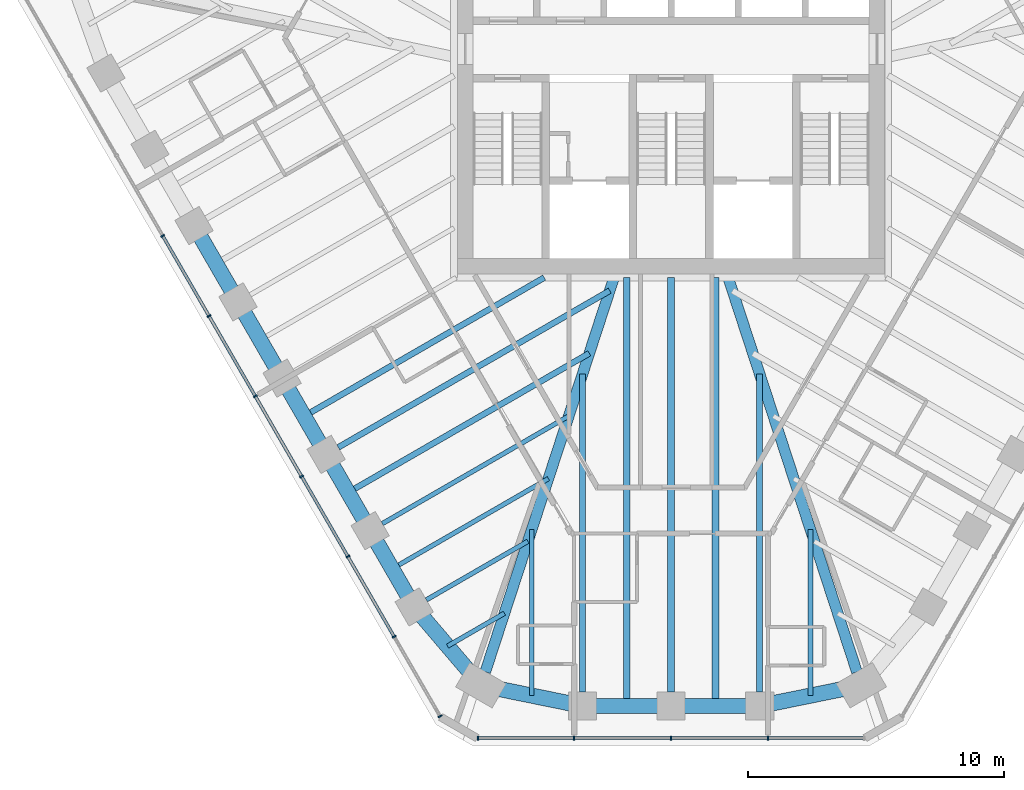
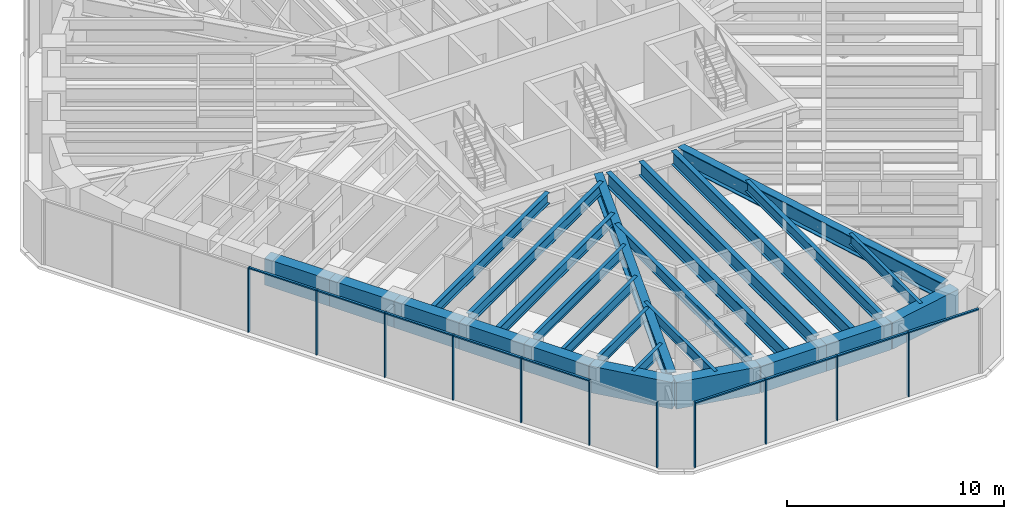
# One storey, part 2 of 14: 26 beams, 20 members, 2 elements without a shape of their own.
"""IFC4 building model written with IfcOpenShell, lengths in metres."""

from ifc_helpers import new_model, si_unit, direction, frame, origin, origin_2d, place, context, subcontext, project, spatial, rectangle, i_section, extrude, material, material_profile, profile_set, type_object, element, aggregate, save


model = new_model("IFC4")

# Units and contexts
model_context = context("Model", 3, precision=1e-05, world=origin(), true_north=direction((0.0, 1.0)))
body_context = subcontext(model_context, "Body", "Model", "MODEL_VIEW")
ifc_project = project(units=[si_unit("LENGTHUNIT", "METRE"), si_unit("AREAUNIT", "SQUARE_METRE"), si_unit("VOLUMEUNIT", "CUBIC_METRE"), si_unit("PLANEANGLEUNIT", "RADIAN"), si_unit("MASSUNIT", "GRAM", prefix="KILO")], contexts=[model_context])

# Site, building, storey
site_placement = place(None, origin())
site = spatial("IfcSite", under=ifc_project, at=site_placement, CompositionType="ELEMENT")
building_placement = place(site_placement, origin())
building = spatial("IfcBuilding", under=site, at=building_placement, Name="Sandreach Pilgrim Tower", CompositionType="ELEMENT")
storey_placement = place(building_placement, frame((0.0, 0.0, 268.39990234375)))
storey = spatial("IfcBuildingStorey", under=building, at=storey_placement, Name="L67", CompositionType="ELEMENT", Elevation=268.39990234375)

# Curtain wall, members
ifc_material_1 = material(Name="Aluminium framed curtain wall", Category="aluminium")
curtain_wall_type = type_object("IfcCurtainWallType", Name="Suite tower curtain wall", PredefinedType="NOTDEFINED", material=ifc_material_1)
curtain_wall_1_placement = place(storey_placement, origin())
curtain_wall_1 = element("IfcCurtainWall", 1, at=curtain_wall_1_placement, inside=storey, type_object=curtain_wall_type, Name="CW-4 L67 S", PredefinedType="NOTDEFINED")
ifc_material_2 = material(Name="Aluminium extrusion", Category="aluminium")
ifc_material_profile_1 = material_profile(ifc_material_2, rectangle(XDim=0.06005859375, YDim=0.159912109375, at=origin_2d()), Name="CW-4M 60X160")
ifc_profile_set_1 = profile_set([ifc_material_profile_1], Name="Aluminium extrusion")
member_type_1 = type_object("IfcMemberType", Name="CW-4 mullion", PredefinedType="MULLION", material=ifc_profile_set_1)
member_1_placement = place(storey_placement, frame((3.791748046875, -24.858154296875, 0.0), z_axis=(0.0, 0.0, 1.0), x_axis=(-1.0, 0.0, 0.0)))
member_1 = element("IfcMember", 2, at=member_1_placement, type_object=member_type_1, Name="CW-4 mullion 2", PredefinedType="MULLION", context=body_context, shape_type="SweptSolid", body=[
    extrude(rectangle(XDim=0.06005859375, YDim=0.159912109375, at=origin_2d()), origin(), (0.0, 0.0, 1.0), 3.64013671875),
])
member_2_placement = place(storey_placement, frame((0.0, -24.858154296875, 0.0), z_axis=(0.0, 0.0, 1.0), x_axis=(-1.0, 0.0, 0.0)))
member_2 = element("IfcMember", 3, at=member_2_placement, type_object=member_type_1, Name="CW-4 mullion 3", PredefinedType="MULLION", context=body_context, shape_type="SweptSolid", body=[
    extrude(rectangle(XDim=0.06005859375, YDim=0.159912109375, at=origin_2d()), origin(), (0.0, 0.0, 1.0), 3.64013671875),
])
member_3_placement = place(storey_placement, frame((-3.791748046875, -24.858154296875, 0.0), z_axis=(0.0, 0.0, 1.0), x_axis=(-1.0, 0.0, 0.0)))
member_3 = element("IfcMember", 4, at=member_3_placement, type_object=member_type_1, Name="CW-4 mullion 4", PredefinedType="MULLION", context=body_context, shape_type="SweptSolid", body=[
    extrude(rectangle(XDim=0.06005859375, YDim=0.159912109375, at=origin_2d()), origin(), (0.0, 0.0, 1.0), 3.64013671875),
])
member_4_placement = place(storey_placement, frame((-7.553466796875, -24.858154296875, 0.0), z_axis=(0.0, 0.0, 1.0), x_axis=(-1.0, 0.0, 0.0)))
member_4 = element("IfcMember", 5, at=member_4_placement, type_object=member_type_1, Name="CW-4 mullion 5", PredefinedType="MULLION", context=body_context, shape_type="SweptSolid", body=[
    extrude(rectangle(XDim=0.06005859375, YDim=0.159912109375, at=origin_2d()), origin(), (0.0, 0.0, 1.0), 3.64013671875),
])

curtain_wall_2_placement = place(storey_placement, origin())
curtain_wall_2 = element("IfcCurtainWall", 6, at=curtain_wall_2_placement, inside=storey, type_object=curtain_wall_type, Name="CW-4 L67 SW", PredefinedType="NOTDEFINED")
member_5_placement = place(storey_placement, frame((-9.035888671875, -24.001953125, 0.0), z_axis=(0.0, 0.0, 1.0), x_axis=(-0.5, 0.866025403784, 0.0)))
member_5 = element("IfcMember", 7, at=member_5_placement, type_object=member_type_1, Name="CW-4 mullion 1", PredefinedType="MULLION", context=body_context, shape_type="SweptSolid", body=[
    extrude(rectangle(XDim=0.06005859375, YDim=0.159912109375, at=origin_2d()), origin(), (0.0, 0.0, 1.0), 3.64013671875),
])
member_6_placement = place(storey_placement, frame((-10.83203125, -20.891357421875, 0.0), z_axis=(0.0, 0.0, 1.0), x_axis=(-0.5, 0.866025403784, 0.0)))
member_6 = element("IfcMember", 8, at=member_6_placement, type_object=member_type_1, Name="CW-4 mullion 2", PredefinedType="MULLION", context=body_context, shape_type="SweptSolid", body=[
    extrude(rectangle(XDim=0.06005859375, YDim=0.159912109375, at=origin_2d()), origin(), (0.0, 0.0, 1.0), 3.64013671875),
])
member_7_placement = place(storey_placement, frame((-12.642822265625, -17.7548828125, 0.0), z_axis=(0.0, 0.0, 1.0), x_axis=(-0.5, 0.866025403784, 0.0)))
member_7 = element("IfcMember", 9, at=member_7_placement, type_object=member_type_1, Name="CW-4 mullion 3", PredefinedType="MULLION", context=body_context, shape_type="SweptSolid", body=[
    extrude(rectangle(XDim=0.06005859375, YDim=0.159912109375, at=origin_2d()), origin(), (0.0, 0.0, 1.0), 3.64013671875),
])
member_8_placement = place(storey_placement, frame((-14.453857421875, -14.6181640625, 0.0), z_axis=(0.0, 0.0, 1.0), x_axis=(-0.5, 0.866025403784, 0.0)))
member_8 = element("IfcMember", 10, at=member_8_placement, type_object=member_type_1, Name="CW-4 mullion 4", PredefinedType="MULLION", context=body_context, shape_type="SweptSolid", body=[
    extrude(rectangle(XDim=0.06005859375, YDim=0.159912109375, at=origin_2d()), origin(), (0.0, 0.0, 1.0), 3.64013671875),
])
member_9_placement = place(storey_placement, frame((-16.2646484375, -11.4814453125, 0.0), z_axis=(0.0, 0.0, 1.0), x_axis=(-0.5, 0.866025403784, 0.0)))
member_9 = element("IfcMember", 11, at=member_9_placement, type_object=member_type_1, Name="CW-4 mullion 5", PredefinedType="MULLION", context=body_context, shape_type="SweptSolid", body=[
    extrude(rectangle(XDim=0.06005859375, YDim=0.159912109375, at=origin_2d()), origin(), (0.0, 0.0, 1.0), 3.64013671875),
])
member_10_placement = place(storey_placement, frame((-18.07568359375, -8.344970703125, 0.0), z_axis=(0.0, 0.0, 1.0), x_axis=(-0.5, 0.866025403784, 0.0)))
member_10 = element("IfcMember", 12, at=member_10_placement, type_object=member_type_1, Name="CW-4 mullion 6", PredefinedType="MULLION", context=body_context, shape_type="SweptSolid", body=[
    extrude(rectangle(XDim=0.06005859375, YDim=0.159912109375, at=origin_2d()), origin(), (0.0, 0.0, 1.0), 3.64013671875),
])
member_11_placement = place(storey_placement, frame((-19.886474609375, -5.208251953125, 0.0), z_axis=(0.0, 0.0, 1.0), x_axis=(-0.5, 0.866025403784, 0.0)))
member_11 = element("IfcMember", 13, at=member_11_placement, type_object=member_type_1, Name="CW-4 mullion 7", PredefinedType="MULLION", context=body_context, shape_type="SweptSolid", body=[
    extrude(rectangle(XDim=0.06005859375, YDim=0.159912109375, at=origin_2d()), origin(), (0.0, 0.0, 1.0), 3.64013671875),
])

# Member
ifc_material_3 = material(Name="Aluminium extrusion", Category="aluminium")
ifc_material_profile_2 = material_profile(ifc_material_3, rectangle(XDim=0.1201171875, YDim=0.070068359375, at=origin_2d()), Name="CW-4T 120X70")
ifc_profile_set_2 = profile_set([ifc_material_profile_2], Name="Aluminium extrusion")
member_type_2 = type_object("IfcMemberType", Name="CW-4 transom", PredefinedType="USERDEFINED", material=ifc_profile_set_2)
member_12_placement = place(storey_placement, frame((7.5234375, -24.858154296875, 3.60498046875), z_axis=(-1.0, 0.0, 0.0), x_axis=(0.0, -1.0, 0.0)))
member_12 = element("IfcMember", 14, at=member_12_placement, type_object=member_type_2, Name="CW-4 head transom 1", ObjectType="TRANSOM", PredefinedType="USERDEFINED", context=body_context, shape_type="SweptSolid", body=[
    extrude(rectangle(XDim=0.1201171875, YDim=0.070068359375, at=origin_2d()), origin(), (0.0, 0.0, 1.0), 3.70166015625),
])

member_13_placement = place(storey_placement, frame((3.76171875, -24.858154296875, 3.60498046875), z_axis=(-1.0, 0.0, 0.0), x_axis=(0.0, -1.0, 0.0)))
member_13 = element("IfcMember", 15, at=member_13_placement, type_object=member_type_2, Name="CW-4 head transom 2", ObjectType="TRANSOM", PredefinedType="USERDEFINED", context=body_context, shape_type="SweptSolid", body=[
    extrude(rectangle(XDim=0.1201171875, YDim=0.070068359375, at=origin_2d()), origin(), (0.0, 0.0, 1.0), 3.731689453125),
])

member_14_placement = place(storey_placement, frame((-0.030029296875, -24.858154296875, 3.60498046875), z_axis=(-1.0, 0.0, 0.0), x_axis=(0.0, -1.0, 0.0)))
member_14 = element("IfcMember", 16, at=member_14_placement, type_object=member_type_2, Name="CW-4 head transom 3", ObjectType="TRANSOM", PredefinedType="USERDEFINED", context=body_context, shape_type="SweptSolid", body=[
    extrude(rectangle(XDim=0.1201171875, YDim=0.070068359375, at=origin_2d()), origin(), (0.0, 0.0, 1.0), 3.731689453125),
])

member_15_placement = place(storey_placement, frame((-3.82177734375, -24.858154296875, 3.60498046875), z_axis=(-1.0, 0.0, 0.0), x_axis=(0.0, -1.0, 0.0)))
member_15 = element("IfcMember", 17, at=member_15_placement, type_object=member_type_2, Name="CW-4 head transom 4", ObjectType="TRANSOM", PredefinedType="USERDEFINED", context=body_context, shape_type="SweptSolid", body=[
    extrude(rectangle(XDim=0.1201171875, YDim=0.070068359375, at=origin_2d()), origin(), (0.0, 0.0, 1.0), 3.70166015625),
])

aggregate(curtain_wall_1, [member_1, member_2, member_3, member_4, member_12, member_13, member_14, member_15])

member_16_placement = place(storey_placement, frame((-10.846923828125, -20.865478515625, 3.60498046875), z_axis=(-0.500009219579, 0.866020080793, 0.0), x_axis=(-0.866020080793, -0.500009219579, 0.0)))
member_16 = element("IfcMember", 18, at=member_16_placement, type_object=member_type_2, Name="CW-4 head transom 2", ObjectType="TRANSOM", PredefinedType="USERDEFINED", context=body_context, shape_type="SweptSolid", body=[
    extrude(rectangle(XDim=0.1201171875, YDim=0.070068359375, at=origin_2d()), origin(), (0.0, 0.0, 1.0), 3.56201171875),
])

member_17_placement = place(storey_placement, frame((-12.657958984375, -17.728759765625, 3.60498046875), z_axis=(-0.499957811549, 0.866049759928, 0.0), x_axis=(-0.866049759928, -0.499957811549, 0.0)))
member_17 = element("IfcMember", 19, at=member_17_placement, type_object=member_type_2, Name="CW-4 head transom 3", ObjectType="TRANSOM", PredefinedType="USERDEFINED", context=body_context, shape_type="SweptSolid", body=[
    extrude(rectangle(XDim=0.1201171875, YDim=0.070068359375, at=origin_2d()), origin(), (0.0, 0.0, 1.0), 3.561767578125),
])

member_18_placement = place(storey_placement, frame((-14.46875, -14.59228515625, 3.60498046875), z_axis=(-0.500009219579, 0.866020080793, 0.0), x_axis=(-0.866020080793, -0.500009219579, 0.0)))
member_18 = element("IfcMember", 20, at=member_18_placement, type_object=member_type_2, Name="CW-4 head transom 4", ObjectType="TRANSOM", PredefinedType="USERDEFINED", context=body_context, shape_type="SweptSolid", body=[
    extrude(rectangle(XDim=0.1201171875, YDim=0.070068359375, at=origin_2d()), origin(), (0.0, 0.0, 1.0), 3.56201171875),
])

member_19_placement = place(storey_placement, frame((-16.27978515625, -11.45556640625, 3.60498046875), z_axis=(-0.499957811549, 0.866049759928, 0.0), x_axis=(-0.866049759928, -0.499957811549, 0.0)))
member_19 = element("IfcMember", 21, at=member_19_placement, type_object=member_type_2, Name="CW-4 head transom 5", ObjectType="TRANSOM", PredefinedType="USERDEFINED", context=body_context, shape_type="SweptSolid", body=[
    extrude(rectangle(XDim=0.1201171875, YDim=0.070068359375, at=origin_2d()), origin(), (0.0, 0.0, 1.0), 3.561767578125),
])

member_20_placement = place(storey_placement, frame((-18.090576171875, -8.31884765625, 3.60498046875), z_axis=(-0.500038900691, 0.866002943295, 0.0), x_axis=(-0.866002943295, -0.500038900691, 0.0)))
member_20 = element("IfcMember", 22, at=member_20_placement, type_object=member_type_2, Name="CW-4 head transom 6", ObjectType="TRANSOM", PredefinedType="USERDEFINED", context=body_context, shape_type="SweptSolid", body=[
    extrude(rectangle(XDim=0.1201171875, YDim=0.070068359375, at=origin_2d()), origin(), (0.0, 0.0, 1.0), 3.561767578125),
])

aggregate(curtain_wall_2, [member_5, member_6, member_7, member_8, member_9, member_10, member_11, member_16, member_17, member_18, member_19, member_20])

# Beams
ifc_material_4 = material(Name="Steel ASTM A992 Grade 50", Category="steel")
ifc_material_profile_3 = material_profile(ifc_material_4, i_section(OverallWidth=0.421630859375, OverallDepth=0.937255859375, WebThickness=0.0224609375, FlangeThickness=0.039794921875, at=origin_2d()), Name="W36X282")
ifc_profile_set_3 = profile_set([ifc_material_profile_3], Name="Steel ASTM A992 Grade 50")
beam_type_1 = type_object("IfcBeamType", Name="Corner girder W36X282", PredefinedType="BEAM", material=ifc_profile_set_3)
for number, where, z_axis, x_axis, name in (
    (23, (7.268310546875, -22.2666015625, 3.17138671875), (-0.310308570047, 0.950635887896, 0.0), (-0.950635887896, -0.310308570047, 0.0), "BM L67 CG22"),
    (24, (-7.268310546875, -22.2666015625, 3.17138671875), (0.310308570047, 0.950635887896, 0.0), (-0.950635887896, 0.310308570047, 0.0), "BM L67 CG26"),
):
    element("IfcBeam", number, at=place(storey_placement, frame(where, z_axis=z_axis, x_axis=x_axis)), inside=storey, type_object=beam_type_1, Name=name, PredefinedType="BEAM", context=body_context, shape_type="SweptSolid", body=[
        extrude(i_section(OverallWidth=0.421630859375, OverallDepth=0.937255859375, WebThickness=0.0224609375, FlangeThickness=0.039794921875, at=origin_2d()), origin(), (0.0, 0.0, 1.0), 16.375),
    ])
ifc_material_5 = material(Name="Steel ASTM A992 Grade 50", Category="steel")
ifc_material_profile_4 = material_profile(ifc_material_5, i_section(OverallWidth=0.1787109375, OverallDepth=0.60205078125, WebThickness=0.010986328125, FlangeThickness=0.014892578125, at=origin_2d()), Name="W24X62")
ifc_profile_set_4 = profile_set([ifc_material_profile_4], Name="Steel ASTM A992 Grade 50")
beam_type_2 = type_object("IfcBeamType", Name="Floor beam W24X62", PredefinedType="BEAM", material=ifc_profile_set_4)
beam_1_placement = place(storey_placement, frame((-9.573974609375, -19.450439453125, 3.339111328125), z_axis=(0.866024320471, 0.50000187635, 0.0), x_axis=(-0.50000187635, 0.866024320471, 0.0)))
element("IfcBeam", 25, at=beam_1_placement, inside=storey, type_object=beam_type_2, Name="BM L67 F27", PredefinedType="BEAM", context=body_context, shape_type="SweptSolid", body=[
    extrude(i_section(OverallWidth=0.1787109375, OverallDepth=0.60205078125, WebThickness=0.010986328125, FlangeThickness=0.014892578125, at=origin_2d()), origin(), (0.0, 0.0, 1.0), 4.58837890625),
])
beam_2_placement = place(storey_placement, frame((-11.29638671875, -16.466796875, 3.339111328125), z_axis=(0.866026819143, 0.499997548519, 0.0), x_axis=(-0.499997548519, 0.866026819143, 0.0)))
element("IfcBeam", 26, at=beam_2_placement, inside=storey, type_object=beam_type_2, Name="BM L67 F28", PredefinedType="BEAM", context=body_context, shape_type="SweptSolid", body=[
    extrude(i_section(OverallWidth=0.1787109375, OverallDepth=0.60205078125, WebThickness=0.010986328125, FlangeThickness=0.014892578125, at=origin_2d()), origin(), (0.0, 0.0, 1.0), 8.4248046875),
])
for number, where, z_axis, x_axis, name in (
    (27, (5.452392578125, -23.19384765625, 3.339111328125), (0.0, 1.0, 0.0), (-1.0, 0.0, 0.0), "BM L67 FM22"),
    (28, (-5.452392578125, -23.19384765625, 3.339111328125), (0.0, 1.0, 0.0), (-1.0, 0.0, 0.0), "BM L67 FM25"),
):
    element("IfcBeam", number, at=place(storey_placement, frame(where, z_axis=z_axis, x_axis=x_axis)), inside=storey, type_object=beam_type_2, Name=name, PredefinedType="BEAM", context=body_context, shape_type="SweptSolid", body=[
        extrude(i_section(OverallWidth=0.1787109375, OverallDepth=0.60205078125, WebThickness=0.010986328125, FlangeThickness=0.014892578125, at=origin_2d()), origin(), (0.0, 0.0, 1.0), 6.49072265625),
    ])
beam_3_placement = place(storey_placement, frame((-8.74462890625, -21.25732421875, 3.339111328125), z_axis=(0.866041575714, 0.49997198835, 0.0), x_axis=(-0.49997198835, 0.866041575714, 0.0)))
element("IfcBeam", 29, at=beam_3_placement, inside=storey, type_object=beam_type_2, Name="BM L67 FM26", PredefinedType="BEAM", context=body_context, shape_type="SweptSolid", body=[
    extrude(i_section(OverallWidth=0.1787109375, OverallDepth=0.60205078125, WebThickness=0.010986328125, FlangeThickness=0.014892578125, at=origin_2d()), origin(), (0.0, 0.0, 1.0), 2.569091796875),
])
beam_4_placement = place(storey_placement, frame((-10.911376953125, -18.233642578125, 3.339111328125), z_axis=(0.866020229007, 0.50000896287, 0.0), x_axis=(-0.50000896287, 0.866020229007, 0.0)))
element("IfcBeam", 30, at=beam_4_placement, inside=storey, type_object=beam_type_2, Name="BM L67 FM27", PredefinedType="BEAM", context=body_context, shape_type="SweptSolid", body=[
    extrude(i_section(OverallWidth=0.1787109375, OverallDepth=0.60205078125, WebThickness=0.010986328125, FlangeThickness=0.014892578125, at=origin_2d()), origin(), (0.0, 0.0, 1.0), 7.056396484375),
])
ifc_material_6 = material(Name="Steel ASTM A992 Grade 50", Category="steel")
ifc_material_profile_5 = material_profile(ifc_material_6, i_section(OverallWidth=0.23046875, OverallDepth=0.6171875, WebThickness=0.01318359375, FlangeThickness=0.022216796875, at=origin_2d()), Name="W24X94")
ifc_profile_set_5 = profile_set([ifc_material_profile_5], Name="Steel ASTM A992 Grade 50")
beam_type_3 = type_object("IfcBeamType", Name="Floor beam W24X94", PredefinedType="BEAM", material=ifc_profile_set_5)
for number, where, z_axis, x_axis, name in (
    (31, (3.465576171875, -23.048095703125, 3.33154296875), (0.0, 1.0, 0.0), (-1.0, 0.0, 0.0), "BM L67 F23"),
    (32, (-3.465576171875, -23.048095703125, 3.33154296875), (0.0, 1.0, 0.0), (-1.0, 0.0, 0.0), "BM L67 F25"),
):
    element("IfcBeam", number, at=place(storey_placement, frame(where, z_axis=z_axis, x_axis=x_axis)), inside=storey, type_object=beam_type_3, Name=name, PredefinedType="BEAM", context=body_context, shape_type="SweptSolid", body=[
        extrude(i_section(OverallWidth=0.23046875, OverallDepth=0.6171875, WebThickness=0.01318359375, FlangeThickness=0.022216796875, at=origin_2d()), origin(), (0.0, 0.0, 1.0), 12.431396484375),
    ])
beam_5_placement = place(storey_placement, frame((-13.018798828125, -13.4833984375, 3.33154296875), z_axis=(0.866019132277, 0.500010862412, 0.0), x_axis=(-0.500010862412, 0.866019132277, 0.0)))
element("IfcBeam", 33, at=beam_5_placement, inside=storey, type_object=beam_type_3, Name="BM L67 F29", PredefinedType="BEAM", context=body_context, shape_type="SweptSolid", body=[
    extrude(i_section(OverallWidth=0.23046875, OverallDepth=0.6171875, WebThickness=0.01318359375, FlangeThickness=0.022216796875, at=origin_2d()), origin(), (0.0, 0.0, 1.0), 12.261474609375),
])
beam_6_placement = place(storey_placement, frame((-12.634033203125, -15.250244140625, 3.33154296875), z_axis=(0.866019500887, 0.500010223979, 0.0), x_axis=(-0.500010223979, 0.866019500887, 0.0)))
element("IfcBeam", 34, at=beam_6_placement, inside=storey, type_object=beam_type_3, Name="BM L67 FM28", PredefinedType="BEAM", context=body_context, shape_type="SweptSolid", body=[
    extrude(i_section(OverallWidth=0.23046875, OverallDepth=0.6171875, WebThickness=0.01318359375, FlangeThickness=0.022216796875, at=origin_2d()), origin(), (0.0, 0.0, 1.0), 10.893310546875),
])
beam_7_placement = place(storey_placement, frame((-14.3564453125, -12.2666015625, 3.33154296875), z_axis=(0.866026660645, 0.499997823047, 0.0), x_axis=(-0.499997823047, 0.866026660645, 0.0)))
element("IfcBeam", 35, at=beam_7_placement, inside=storey, type_object=beam_type_3, Name="BM L67 FM29", PredefinedType="BEAM", context=body_context, shape_type="SweptSolid", body=[
    extrude(i_section(OverallWidth=0.23046875, OverallDepth=0.6171875, WebThickness=0.01318359375, FlangeThickness=0.022216796875, at=origin_2d()), origin(), (0.0, 0.0, 1.0), 10.8466796875),
])
ifc_material_7 = material(Name="Steel ASTM A992 Grade 50", Category="steel")
ifc_material_profile_6 = material_profile(ifc_material_7, i_section(OverallWidth=0.2666015625, OverallDepth=0.77978515625, WebThickness=0.0166015625, FlangeThickness=0.030029296875, at=origin_2d()), Name="W30X148")
ifc_profile_set_6 = profile_set([ifc_material_profile_6], Name="Steel ASTM A992 Grade 50")
beam_type_4 = type_object("IfcBeamType", Name="Floor beam W30X148", PredefinedType="BEAM", material=ifc_profile_set_6)
beam_8_placement = place(storey_placement, frame((0.0, -23.048095703125, 3.250244140625), z_axis=(0.0, 1.0, 0.0), x_axis=(-1.0, 0.0, 0.0)))
element("IfcBeam", 36, at=beam_8_placement, inside=storey, type_object=beam_type_4, Name="BM L67 F24", PredefinedType="BEAM", context=body_context, shape_type="SweptSolid", body=[
    extrude(i_section(OverallWidth=0.2666015625, OverallDepth=0.77978515625, WebThickness=0.0166015625, FlangeThickness=0.030029296875, at=origin_2d()), origin(), (0.0, 0.0, 1.0), 16.204833984375),
])
for number, where, z_axis, x_axis, name in (
    (37, (1.732666015625, -23.59814453125, 3.250244140625), (0.0, 1.0, 0.0), (-1.0, 0.0, 0.0), "BM L67 FM23"),
    (38, (-1.732666015625, -23.59814453125, 3.250244140625), (0.0, 1.0, 0.0), (-1.0, 0.0, 0.0), "BM L67 FM24"),
):
    element("IfcBeam", number, at=place(storey_placement, frame(where, z_axis=z_axis, x_axis=x_axis)), inside=storey, type_object=beam_type_4, Name=name, PredefinedType="BEAM", context=body_context, shape_type="SweptSolid", body=[
        extrude(i_section(OverallWidth=0.2666015625, OverallDepth=0.77978515625, WebThickness=0.0166015625, FlangeThickness=0.030029296875, at=origin_2d()), origin(), (0.0, 0.0, 1.0), 16.7548828125),
    ])
ifc_material_8 = material(Name="Concrete 10000 psi", Category="concrete")
ifc_material_profile_7 = material_profile(ifc_material_8, rectangle(XDim=0.60009765625, YDim=1.5, at=origin_2d()), Name="RC600X1500")
ifc_profile_set_7 = profile_set([ifc_material_profile_7], Name="Concrete 10000 psi")
beam_type_5 = type_object("IfcBeamType", Name="Spandrel beam RC600X1500", PredefinedType="SPANDREL", material=ifc_profile_set_7)
beam_9_placement = place(storey_placement, frame((7.439208984375, -22.78955078125, 2.89013671875), z_axis=(-0.979917524616, -0.199403222016, 0.0), x_axis=(0.199403222016, -0.979917524616, 0.0)))
element("IfcBeam", 39, at=beam_9_placement, inside=storey, type_object=beam_type_5, Name="BM L67 SP22", PredefinedType="SPANDREL", context=body_context, shape_type="SweptSolid", body=[
    extrude(rectangle(XDim=0.60009765625, YDim=1.5, at=origin_2d()), origin(), (0.0, 0.0, 1.0), 4.05517578125),
])
for number, where, z_axis, x_axis, name in (
    (40, (3.465576171875, -23.59814453125, 2.89013671875), (-1.0, 0.0, 0.0), (0.0, -1.0, 0.0), "BM L67 SP23"),
    (41, (0.0, -23.59814453125, 2.89013671875), (-1.0, 0.0, 0.0), (0.0, -1.0, 0.0), "BM L67 SP24"),
):
    element("IfcBeam", number, at=place(storey_placement, frame(where, z_axis=z_axis, x_axis=x_axis)), inside=storey, type_object=beam_type_5, Name=name, PredefinedType="SPANDREL", context=body_context, shape_type="SweptSolid", body=[
        extrude(rectangle(XDim=0.60009765625, YDim=1.5, at=origin_2d()), origin(), (0.0, 0.0, 1.0), 3.465576171875),
    ])
beam_10_placement = place(storey_placement, frame((-3.465576171875, -23.59814453125, 2.89013671875), z_axis=(-0.979917524616, 0.199403222016, 0.0), x_axis=(-0.199403222016, -0.979917524616, 0.0)))
element("IfcBeam", 42, at=beam_10_placement, inside=storey, type_object=beam_type_5, Name="BM L67 SP25", PredefinedType="SPANDREL", context=body_context, shape_type="SweptSolid", body=[
    extrude(rectangle(XDim=0.60009765625, YDim=1.5, at=origin_2d()), origin(), (0.0, 0.0, 1.0), 4.05517578125),
])
beam_11_placement = place(storey_placement, frame((-7.439208984375, -22.78955078125, 2.89013671875), z_axis=(-0.648586192707, 0.761141215958, 0.0), x_axis=(-0.761141215958, -0.648586192707, 0.0)))
element("IfcBeam", 43, at=beam_11_placement, inside=storey, type_object=beam_type_5, Name="BM L67 SP26", PredefinedType="SPANDREL", context=body_context, shape_type="SweptSolid", body=[
    extrude(rectangle(XDim=0.60009765625, YDim=1.5, at=origin_2d()), origin(), (0.0, 0.0, 1.0), 4.02587890625),
])
for number, where, z_axis, x_axis, name in (
    (44, (-10.05029296875, -19.725341796875, 2.89013671875), (-0.499988291006, 0.866032163869, 0.0), (-0.866032163869, -0.499988291006, 0.0), "BM L67 SP27"),
    (45, (-11.772705078125, -16.741943359375, 2.89013671875), (-0.499988291006, 0.866032163869, 0.0), (-0.866032163869, -0.499988291006, 0.0), "BM L67 SP28"),
):
    element("IfcBeam", number, at=place(storey_placement, frame(where, z_axis=z_axis, x_axis=x_axis)), inside=storey, type_object=beam_type_5, Name=name, PredefinedType="SPANDREL", context=body_context, shape_type="SweptSolid", body=[
        extrude(rectangle(XDim=0.60009765625, YDim=1.5, at=origin_2d()), origin(), (0.0, 0.0, 1.0), 3.44482421875),
    ])
beam_12_placement = place(storey_placement, frame((-13.4951171875, -13.758544921875, 2.89013671875), z_axis=(-0.500010754882, 0.866019194361, 0.0), x_axis=(-0.866019194361, -0.500010754882, 0.0)))
element("IfcBeam", 46, at=beam_12_placement, inside=storey, type_object=beam_type_5, Name="BM L67 SP29", PredefinedType="SPANDREL", context=body_context, shape_type="SweptSolid", body=[
    extrude(rectangle(XDim=0.60009765625, YDim=1.5, at=origin_2d()), origin(), (0.0, 0.0, 1.0), 3.4453125),
])
beam_13_placement = place(storey_placement, frame((-15.2177734375, -10.77490234375, 2.89013671875), z_axis=(-0.499988291006, 0.866032163869, 0.0), x_axis=(-0.866032163869, -0.499988291006, 0.0)))
element("IfcBeam", 47, at=beam_13_placement, inside=storey, type_object=beam_type_5, Name="BM L67 SP30", PredefinedType="SPANDREL", context=body_context, shape_type="SweptSolid", body=[
    extrude(rectangle(XDim=0.60009765625, YDim=1.5, at=origin_2d()), origin(), (0.0, 0.0, 1.0), 3.44482421875),
])
beam_14_placement = place(storey_placement, frame((-16.940185546875, -7.79150390625, 2.89013671875), z_axis=(-0.500041441558, 0.866001476168, 0.0), x_axis=(-0.866001476168, -0.500041441558, 0.0)))
element("IfcBeam", 48, at=beam_14_placement, inside=storey, type_object=beam_type_5, Name="BM L67 SP31", PredefinedType="SPANDREL", context=body_context, shape_type="SweptSolid", body=[
    extrude(rectangle(XDim=0.60009765625, YDim=1.5, at=origin_2d()), origin(), (0.0, 0.0, 1.0), 3.445068359375),
])

save(model, "model.ifc")
